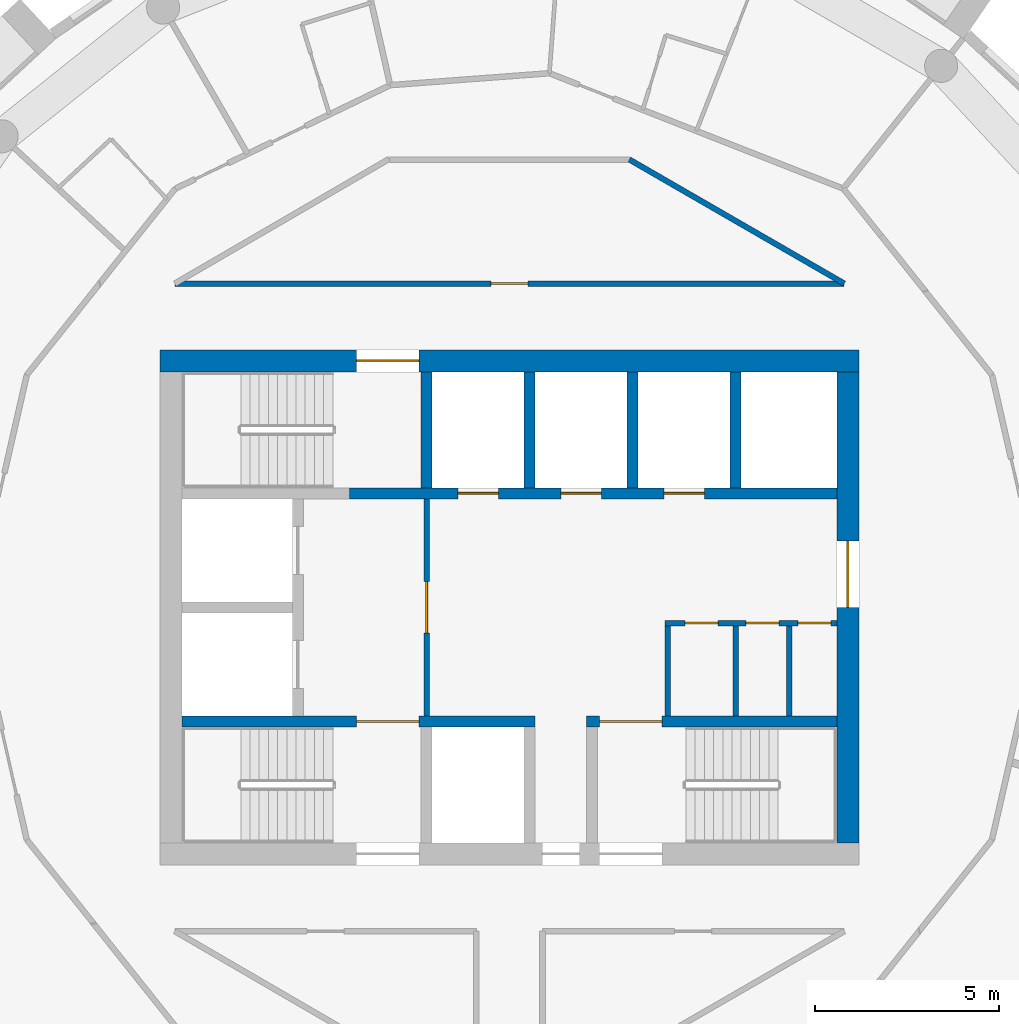
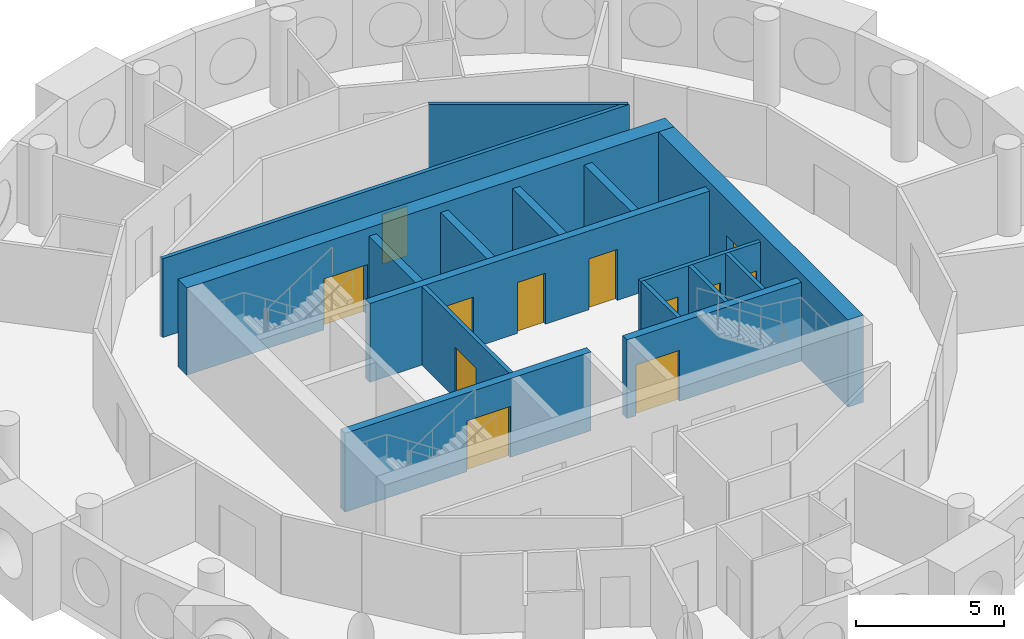
# One storey, part 8 of 13: 16 walls, 12 doors, 12 openings.
"""IFC4 building model written with IfcOpenShell, lengths in metres."""

from ifc_helpers import new_model, si_unit, direction, frame, frame_2d, origin, place, context, subcontext, project, spatial, rectangle, extrude, material, layer, layer_set, type_object, element, fill, save


model = new_model("IFC4")

# Units and contexts
model_context = context("Model", 3, precision=1e-05, world=origin(), true_north=direction((0.0, 1.0)))
body_context = subcontext(model_context, "Body", "Model", "MODEL_VIEW")
ifc_project = project(units=[si_unit("LENGTHUNIT", "METRE"), si_unit("AREAUNIT", "SQUARE_METRE"), si_unit("VOLUMEUNIT", "CUBIC_METRE"), si_unit("PLANEANGLEUNIT", "RADIAN"), si_unit("MASSUNIT", "GRAM", prefix="KILO")], contexts=[model_context])

# Site, building, storey
site_placement = place(None, origin())
site = spatial("IfcSite", under=ifc_project, at=site_placement, CompositionType="ELEMENT")
building_placement = place(site_placement, origin())
building = spatial("IfcBuilding", under=site, at=building_placement, Name="Tracery Tower", CompositionType="ELEMENT")
storey_placement = place(building_placement, frame((0.0, 0.0, 319.800048828125)))
storey = spatial("IfcBuildingStorey", under=building, at=storey_placement, Name="L83", CompositionType="ELEMENT", Elevation=319.800048828125)

# Wall, opening, door
ifc_material_1 = material(Name="Plasterboard on steel studs", Category="steel")
ifc_layer_1 = layer(ifc_material_1, 0.14990234375)
ifc_layer_set_1 = layer_set([ifc_layer_1], Name="Core lobby partition 150")
wall_type_1 = type_object("IfcWallType", Name="Core lobby partition 150", PredefinedType="SOLIDWALL", material=ifc_layer_set_1)
wall_1_placement = place(storey_placement, frame((-2.25, -2.949951171875, 0.0), z_axis=(0.0, 0.0, 1.0), x_axis=(0.0, 1.0, 0.0)))
wall_1 = element("IfcWall", 1, at=wall_1_placement, inside=storey, type_object=wall_type_1, Name="L83 FF lobby E", PredefinedType="SOLIDWALL", context=body_context, shape_type="SweptSolid", body=[
    extrude(rectangle(XDim=5.89990234375, YDim=0.14990234375, at=frame_2d((2.949951171875, 0.0))), origin(), (0.0, 0.0, 1.0), 3.25),
])
opening_1_placement = place(wall_1_placement, frame((2.25, 0.0, 0.0)))
opening_1 = element("IfcOpeningElement", 2, at=opening_1_placement, cuts=wall_1, Name="Opening KD8", PredefinedType="OPENING", context=body_context, shape_type="SweptSolid", body=[
    extrude(rectangle(XDim=1.39990234375, YDim=2.10009765625, at=frame_2d((0.699951171875, 1.050048828125))), frame((0.0, 0.074951171875, 0.0), z_axis=(0.0, -1.0, 0.0), x_axis=(1.0, 0.0, 0.0)), (0.0, 0.0, 1.0), 0.14990234375),
])
ifc_material_2 = material(Name="Steel fire door", Category="steel")
door_type_1 = type_object("IfcDoorType", Name="Core lobby door 1400 double", OperationType="NOTDEFINED", PredefinedType="DOOR", material=ifc_material_2)
door_1_placement = place(opening_1_placement, origin())
door_1 = element("IfcDoor", 3, at=door_1_placement, inside=storey, type_object=door_type_1, Name="Fire-fighting lobby door", OperationType="DOUBLE_DOOR_SINGLE_SWING", OverallHeight=2.10009765625, OverallWidth=1.39990234375, PredefinedType="DOOR", context=body_context, shape_type="SweptSolid", body=[
    extrude(rectangle(XDim=1.39990234375, YDim=2.10009765625, at=frame_2d((0.699951171875, 1.050048828125))), frame((0.0, 0.02490234375, 0.0), z_axis=(0.0, -1.0, 0.0), x_axis=(1.0, 0.0, 0.0)), (0.0, 0.0, 1.0), 0.050048828125),
])
fill(opening_1, door_1)

# Wall
ifc_material_3 = material(Name="Plasterboard on steel studs", Category="steel")
ifc_layer_2 = layer(ifc_material_3, 0.14990234375)
ifc_layer_set_2 = layer_set([ifc_layer_2], Name="Core room partition 150")
wall_type_2 = type_object("IfcWallType", Name="Core room partition 150", PredefinedType="SOLIDWALL", material=ifc_layer_set_2)
wall_2_placement = place(storey_placement, frame((4.300048828125, -2.949951171875, 0.0), z_axis=(0.0, 0.0, 1.0), x_axis=(0.0, 1.0, 0.0)))
element("IfcWall", 4, at=wall_2_placement, inside=storey, type_object=wall_type_2, Name="L83 slot W", PredefinedType="SOLIDWALL", context=body_context, shape_type="SweptSolid", body=[
    extrude(rectangle(XDim=2.449951171875, YDim=0.14990234375, at=frame_2d((1.22509765625, 0.0))), origin(), (0.0, 0.0, 1.0), 3.25),
])

# Wall, openings, doors
wall_3_placement = place(storey_placement, frame((4.22509765625, -0.425048828125, 0.0), z_axis=(0.0, 0.0, 1.0), x_axis=(1.0, 0.0, 0.0)))
wall_3 = element("IfcWall", 5, at=wall_3_placement, inside=storey, type_object=wall_type_2, Name="L83 slot N", PredefinedType="SOLIDWALL", context=body_context, shape_type="SweptSolid", body=[
    extrude(rectangle(XDim=4.6748046875, YDim=0.14990234375, at=frame_2d((2.33740234375, 0.0))), origin(), (0.0, 0.0, 1.0), 3.25),
])
opening_2_placement = place(wall_3_placement, frame((0.550048828125, 0.0, 0.0)))
opening_2 = element("IfcOpeningElement", 6, at=opening_2_placement, cuts=wall_3, Name="Opening KD22", PredefinedType="OPENING", context=body_context, shape_type="SweptSolid", body=[
    extrude(rectangle(XDim=0.89990234375, YDim=2.10009765625, at=frame_2d((0.449951171875, 1.050048828125))), frame((0.0, 0.074951171875, 0.0), z_axis=(0.0, -1.0, 0.0), x_axis=(1.0, 0.0, 0.0)), (0.0, 0.0, 1.0), 0.14990234375),
])
opening_3_placement = place(wall_3_placement, frame((2.199951171875, 0.0, 0.0)))
opening_3 = element("IfcOpeningElement", 7, at=opening_3_placement, cuts=wall_3, Name="Opening KD26", PredefinedType="OPENING", context=body_context, shape_type="SweptSolid", body=[
    extrude(rectangle(XDim=0.89990234375, YDim=2.10009765625, at=frame_2d((0.449951171875, 1.050048828125))), frame((0.0, 0.074951171875, 0.0), z_axis=(0.0, -1.0, 0.0), x_axis=(1.0, 0.0, 0.0)), (0.0, 0.0, 1.0), 0.14990234375),
])
opening_4_placement = place(wall_3_placement, frame((3.612548828125, 0.0, 0.0)))
opening_4 = element("IfcOpeningElement", 8, at=opening_4_placement, cuts=wall_3, Name="Opening KD32", PredefinedType="OPENING", context=body_context, shape_type="SweptSolid", body=[
    extrude(rectangle(XDim=0.89990234375, YDim=2.10009765625, at=frame_2d((0.449951171875, 1.050048828125))), frame((0.0, 0.074951171875, 0.0), z_axis=(0.0, -1.0, 0.0), x_axis=(1.0, 0.0, 0.0)), (0.0, 0.0, 1.0), 0.14990234375),
])
ifc_material_4 = material(Name="Timber door leaf", Category="wood")
door_type_2 = type_object("IfcDoorType", Name="Core WC door 900", OperationType="NOTDEFINED", PredefinedType="DOOR", material=ifc_material_4)
door_2_placement = place(opening_2_placement, origin())
door_2 = element("IfcDoor", 9, at=door_2_placement, inside=storey, type_object=door_type_2, Name="Core door", OperationType="SINGLE_SWING_RIGHT", OverallHeight=2.10009765625, OverallWidth=0.89990234375, PredefinedType="DOOR", context=body_context, shape_type="SweptSolid", body=[
    extrude(rectangle(XDim=0.89990234375, YDim=2.10009765625, at=frame_2d((0.449951171875, 1.050048828125))), frame((0.0, 0.02490234375, 0.0), z_axis=(0.0, -1.0, 0.0), x_axis=(1.0, 0.0, 0.0)), (0.0, 0.0, 1.0), 0.050048828125),
])
fill(opening_2, door_2)
ifc_material_5 = material(Name="Steel fire door", Category="steel")
door_type_3 = type_object("IfcDoorType", Name="Core riser door 900", OperationType="NOTDEFINED", PredefinedType="DOOR", material=ifc_material_5)
door_3_placement = place(opening_4_placement, origin())
door_3 = element("IfcDoor", 10, at=door_3_placement, inside=storey, type_object=door_type_3, Name="Core door", OperationType="SINGLE_SWING_RIGHT", OverallHeight=2.10009765625, OverallWidth=0.89990234375, PredefinedType="DOOR", context=body_context, shape_type="SweptSolid", body=[
    extrude(rectangle(XDim=0.89990234375, YDim=2.10009765625, at=frame_2d((0.449951171875, 1.050048828125))), frame((0.0, 0.02490234375, 0.0), z_axis=(0.0, -1.0, 0.0), x_axis=(1.0, 0.0, 0.0)), (0.0, 0.0, 1.0), 0.050048828125),
])
fill(opening_4, door_3)
ifc_material_6 = material(Name="Timber door leaf", Category="wood")
door_type_4 = type_object("IfcDoorType", Name="Core store door 900", OperationType="NOTDEFINED", PredefinedType="DOOR", material=ifc_material_6)
door_4_placement = place(opening_3_placement, origin())
door_4 = element("IfcDoor", 11, at=door_4_placement, inside=storey, type_object=door_type_4, Name="Core door", OperationType="SINGLE_SWING_LEFT", OverallHeight=2.10009765625, OverallWidth=0.89990234375, PredefinedType="DOOR", context=body_context, shape_type="SweptSolid", body=[
    extrude(rectangle(XDim=0.89990234375, YDim=2.10009765625, at=frame_2d((0.449951171875, 1.050048828125))), frame((0.0, 0.02490234375, 0.0), z_axis=(0.0, -1.0, 0.0), x_axis=(1.0, 0.0, 0.0)), (0.0, 0.0, 1.0), 0.050048828125),
])
fill(opening_3, door_4)

# Walls
for number, where, z_axis, x_axis, name in (
    (12, (6.14990234375, -2.949951171875, 0.0), (0.0, 0.0, 1.0), (0.0, 1.0, 0.0), "L83 slot sep 1"),
    (13, (7.60009765625, -2.949951171875, 0.0), (0.0, 0.0, 1.0), (0.0, 1.0, 0.0), "L83 slot sep 2"),
):
    element("IfcWall", number, at=place(storey_placement, frame(where, z_axis=z_axis, x_axis=x_axis)), inside=storey, type_object=wall_type_2, Name=name, PredefinedType="SOLIDWALL", context=body_context, shape_type="SweptSolid", body=[
        extrude(rectangle(XDim=2.449951171875, YDim=0.14990234375, at=frame_2d((1.22509765625, 0.0))), origin(), (0.0, 0.0, 1.0), 3.25),
    ])

# Wall, opening, door
ifc_material_7 = material(Name="Concrete C40/50", Category="concrete")
ifc_layer_3 = layer(ifc_material_7, 0.60009765625)
ifc_layer_set_3 = layer_set([ifc_layer_3], Name="Core wall 600 C40")
wall_type_3 = type_object("IfcWallType", Name="Core wall 600 C40", PredefinedType="SOLIDWALL", material=ifc_layer_set_3)
wall_4_placement = place(storey_placement, frame((-9.5, 6.699951171875, 0.0), z_axis=(0.0, 0.0, 1.0), x_axis=(1.0, 0.0, 0.0)))
wall_4 = element("IfcWall", 14, at=wall_4_placement, inside=storey, type_object=wall_type_3, Name="L83 outer N", PredefinedType="SOLIDWALL", context=body_context, shape_type="SweptSolid", body=[
    extrude(rectangle(XDim=19.0, YDim=0.60009765625, at=frame_2d((9.5, 0.0))), origin(), (0.0, 0.0, 1.0), 3.599853515625),
])
opening_5_placement = place(wall_4_placement, frame((5.35009765625, 0.0, 0.0)))
opening_5 = element("IfcOpeningElement", 15, at=opening_5_placement, cuts=wall_4, Name="Opening KD3", PredefinedType="OPENING", context=body_context, shape_type="SweptSolid", body=[
    extrude(rectangle(XDim=1.699951171875, YDim=2.10009765625, at=frame_2d((0.85009765625, 1.050048828125))), frame((0.0, 0.300048828125, 0.0), z_axis=(0.0, -1.0, 0.0), x_axis=(1.0, 0.0, 0.0)), (0.0, 0.0, 1.0), 0.60009765625),
])
ifc_material_8 = material(Name="Steel fire door", Category="steel")
door_type_5 = type_object("IfcDoorType", Name="Core stair door 1700 double", OperationType="NOTDEFINED", PredefinedType="DOOR", material=ifc_material_8)
door_5_placement = place(opening_5_placement, origin())
door_5 = element("IfcDoor", 16, at=door_5_placement, inside=storey, type_object=door_type_5, Name="Stair door ST3 exit", OperationType="DOUBLE_DOOR_SINGLE_SWING", OverallHeight=2.10009765625, OverallWidth=1.699951171875, PredefinedType="DOOR", context=body_context, shape_type="SweptSolid", body=[
    extrude(rectangle(XDim=1.699951171875, YDim=2.10009765625, at=frame_2d((0.85009765625, 1.050048828125))), frame((0.0, 0.02490234375, 0.0), z_axis=(0.0, -1.0, 0.0), x_axis=(1.0, 0.0, 0.0)), (0.0, 0.0, 1.0), 0.050048828125),
])
fill(opening_5, door_5)

wall_5_placement = place(storey_placement, frame((9.199951171875, -6.39990234375, 0.0), z_axis=(0.0, 0.0, 1.0), x_axis=(0.0, 1.0, 0.0)))
wall_5 = element("IfcWall", 17, at=wall_5_placement, inside=storey, type_object=wall_type_3, Name="L83 outer E", PredefinedType="SOLIDWALL", context=body_context, shape_type="SweptSolid", body=[
    extrude(rectangle(XDim=12.7998046875, YDim=0.60009765625, at=frame_2d((6.39990234375, 0.0))), origin(), (0.0, 0.0, 1.0), 3.599853515625),
])
opening_6_placement = place(wall_5_placement, frame((6.39990234375, 0.0, 0.0)))
opening_6 = element("IfcOpeningElement", 18, at=opening_6_placement, cuts=wall_5, Name="Opening KD13", PredefinedType="OPENING", context=body_context, shape_type="SweptSolid", body=[
    extrude(rectangle(XDim=1.800048828125, YDim=2.10009765625, at=frame_2d((0.89990234375, 1.050048828125))), frame((0.0, 0.300048828125, 0.0), z_axis=(0.0, -1.0, 0.0), x_axis=(1.0, 0.0, 0.0)), (0.0, 0.0, 1.0), 0.60009765625),
])
ifc_material_9 = material(Name="Steel fire door", Category="steel")
door_type_6 = type_object("IfcDoorType", Name="Core exit door 1800 double", OperationType="NOTDEFINED", PredefinedType="DOOR", material=ifc_material_9)
door_6_placement = place(opening_6_placement, origin())
door_6 = element("IfcDoor", 19, at=door_6_placement, inside=storey, type_object=door_type_6, Name="Core exit door", OperationType="DOUBLE_DOOR_SINGLE_SWING", OverallHeight=2.10009765625, OverallWidth=1.800048828125, PredefinedType="DOOR", context=body_context, shape_type="SweptSolid", body=[
    extrude(rectangle(XDim=1.800048828125, YDim=2.10009765625, at=frame_2d((0.89990234375, 1.050048828125))), frame((0.0, 0.02490234375, 0.0), z_axis=(0.0, -1.0, 0.0), x_axis=(1.0, 0.0, 0.0)), (0.0, 0.0, 1.0), 0.050048828125),
])
fill(opening_6, door_6)

ifc_material_10 = material(Name="Plasterboard on steel studs", Category="steel")
ifc_layer_4 = layer(ifc_material_10, 0.14990234375)
ifc_layer_set_4 = layer_set([ifc_layer_4], Name="Partition 150 corridor wall")
wall_type_4 = type_object("IfcWallType", Name="Partition 150 corridor wall", PredefinedType="PARTITIONING", material=ifc_layer_set_4)
wall_6_placement = place(storey_placement, frame((-9.092041015625, 8.800048828125, 0.0), z_axis=(0.0, 0.0, 1.0), x_axis=(1.0, 0.0, 0.0)))
wall_6 = element("IfcWall", 20, at=wall_6_placement, inside=storey, type_object=wall_type_4, Name="Corridor wall RC9-002", PredefinedType="PARTITIONING", context=body_context, shape_type="SweptSolid", body=[
    extrude(rectangle(XDim=18.192626953125, YDim=0.14990234375, at=frame_2d((9.09619140625, 0.0))), origin(), (0.0, 0.0, 1.0), 3.25),
])
opening_7_placement = place(wall_6_placement, frame((8.592041015625, 0.0, 0.0)))
opening_7 = element("IfcOpeningElement", 21, at=opening_7_placement, cuts=wall_6, Name="Opening RC9-01", PredefinedType="OPENING", context=body_context, shape_type="SweptSolid", body=[
    extrude(rectangle(XDim=1.0, YDim=2.0400390625, at=frame_2d((0.5, 1.02001953125))), frame((0.0, 0.074951171875, 0.0), z_axis=(0.0, -1.0, 0.0), x_axis=(1.0, 0.0, 0.0)), (0.0, 0.0, 1.0), 0.14990234375),
])
ifc_material_11 = material(Name="Timber door leaf", Category="wood")
door_type_7 = type_object("IfcDoorType", Name="Door communal room 1000", OperationType="NOTDEFINED", PredefinedType="DOOR", material=ifc_material_11)
door_7_placement = place(opening_7_placement, origin())
door_7 = element("IfcDoor", 22, at=door_7_placement, inside=storey, type_object=door_type_7, Name="Communal room door RC9-01", OperationType="SINGLE_SWING_RIGHT", OverallHeight=2.0400390625, OverallWidth=1.0, PredefinedType="DOOR", context=body_context, shape_type="SweptSolid", body=[
    extrude(rectangle(XDim=1.0, YDim=2.0400390625, at=frame_2d((0.5, 1.02001953125))), frame((0.0, 0.02490234375, 0.0), z_axis=(0.0, -1.0, 0.0), x_axis=(1.0, 0.0, 0.0)), (0.0, 0.0, 1.0), 0.050048828125),
])
fill(opening_7, door_7)

# Walls
wall_7_placement = place(storey_placement, frame((3.260986328125, 12.1708984375, 0.0), z_axis=(0.0, 0.0, 1.0), x_axis=(0.866066809554, -0.499928276245, 0.0)))
element("IfcWall", 23, at=wall_7_placement, inside=storey, type_object=wall_type_4, Name="Corridor wall RC9-024", PredefinedType="PARTITIONING", context=body_context, shape_type="SweptSolid", body=[
    extrude(rectangle(XDim=6.74267578125, YDim=0.14990234375, at=frame_2d((3.371337890625, 0.0))), origin(), (0.0, 0.0, 1.0), 3.25),
])
ifc_material_12 = material(Name="Concrete C40/50", Category="concrete")
ifc_layer_5 = layer(ifc_material_12, 0.300048828125)
ifc_layer_set_5 = layer_set([ifc_layer_5], Name="Shaft wall 300 C40")
wall_type_5 = type_object("IfcWallType", Name="Shaft wall 300 C40", PredefinedType="SOLIDWALL", material=ifc_layer_set_5)
for number, where, z_axis, x_axis, name in (
    (24, (0.550048828125, 3.25, 0.0), (0.0, 0.0, 1.0), (0.0, 1.0, 0.0), "L83 HR sep 1"),
    (25, (3.35009765625, 3.25, 0.0), (0.0, 0.0, 1.0), (0.0, 1.0, 0.0), "L83 HR sep 2"),
    (26, (6.14990234375, 3.25, 0.0), (0.0, 0.0, 1.0), (0.0, 1.0, 0.0), "L83 HR sep 3"),
):
    element("IfcWall", number, at=place(storey_placement, frame(where, z_axis=z_axis, x_axis=x_axis)), inside=storey, type_object=wall_type_5, Name=name, PredefinedType="SOLIDWALL", context=body_context, shape_type="SweptSolid", body=[
        extrude(rectangle(XDim=3.14990234375, YDim=0.300048828125, at=frame_2d((1.574951171875, 0.0))), origin(), (0.0, 0.0, 1.0), 3.25),
    ])

# Wall, opening, door
ifc_material_13 = material(Name="Concrete C40/50", Category="concrete")
ifc_layer_6 = layer(ifc_material_13, 0.300048828125)
ifc_layer_set_6 = layer_set([ifc_layer_6], Name="Stair wall 300 C40")
wall_type_6 = type_object("IfcWallType", Name="Stair wall 300 C40", PredefinedType="SOLIDWALL", material=ifc_layer_set_6)
wall_8_placement = place(storey_placement, frame((-8.89990234375, -3.10009765625, 0.0), z_axis=(0.0, 0.0, 1.0), x_axis=(1.0, 0.0, 0.0)))
wall_8 = element("IfcWall", 27, at=wall_8_placement, inside=storey, type_object=wall_type_6, Name="L83 row S", PredefinedType="SOLIDWALL", context=body_context, shape_type="SweptSolid", body=[
    extrude(rectangle(XDim=9.599853515625, YDim=0.300048828125, at=frame_2d((4.7998046875, 0.0))), origin(), (0.0, 0.0, 1.0), 3.25),
])
opening_8_placement = place(wall_8_placement, frame((4.75, 0.0, 0.0)))
opening_8 = element("IfcOpeningElement", 28, at=opening_8_placement, cuts=wall_8, Name="Opening KD3", PredefinedType="OPENING", context=body_context, shape_type="SweptSolid", body=[
    extrude(rectangle(XDim=1.699951171875, YDim=2.10009765625, at=frame_2d((0.85009765625, 1.050048828125))), frame((0.0, 0.14990234375, 0.0), z_axis=(0.0, -1.0, 0.0), x_axis=(1.0, 0.0, 0.0)), (0.0, 0.0, 1.0), 0.300048828125),
])
door_8_placement = place(opening_8_placement, origin())
door_8 = element("IfcDoor", 29, at=door_8_placement, inside=storey, type_object=door_type_5, Name="Stair door ST1", OperationType="DOUBLE_DOOR_SINGLE_SWING", OverallHeight=2.10009765625, OverallWidth=1.699951171875, PredefinedType="DOOR", context=body_context, shape_type="SweptSolid", body=[
    extrude(rectangle(XDim=1.699951171875, YDim=2.10009765625, at=frame_2d((0.85009765625, 1.050048828125))), frame((0.0, 0.02490234375, 0.0), z_axis=(0.0, -1.0, 0.0), x_axis=(1.0, 0.0, 0.0)), (0.0, 0.0, 1.0), 0.050048828125),
])
fill(opening_8, door_8)

wall_9_placement = place(storey_placement, frame((2.10009765625, -3.10009765625, 0.0), z_axis=(0.0, 0.0, 1.0), x_axis=(1.0, 0.0, 0.0)))
wall_9 = element("IfcWall", 30, at=wall_9_placement, inside=storey, type_object=wall_type_6, Name="L83 row S E", PredefinedType="SOLIDWALL", context=body_context, shape_type="SweptSolid", body=[
    extrude(rectangle(XDim=6.7998046875, YDim=0.300048828125, at=frame_2d((3.39990234375, 0.0))), origin(), (0.0, 0.0, 1.0), 3.25),
])
opening_9_placement = place(wall_9_placement, frame((0.35009765625, 0.0, 0.0)))
opening_9 = element("IfcOpeningElement", 31, at=opening_9_placement, cuts=wall_9, Name="Opening KD3", PredefinedType="OPENING", context=body_context, shape_type="SweptSolid", body=[
    extrude(rectangle(XDim=1.699951171875, YDim=2.10009765625, at=frame_2d((0.85009765625, 1.050048828125))), frame((0.0, 0.14990234375, 0.0), z_axis=(0.0, -1.0, 0.0), x_axis=(1.0, 0.0, 0.0)), (0.0, 0.0, 1.0), 0.300048828125),
])
door_9_placement = place(opening_9_placement, origin())
door_9 = element("IfcDoor", 32, at=door_9_placement, inside=storey, type_object=door_type_5, Name="Stair door ST2", OperationType="DOUBLE_DOOR_SINGLE_SWING", OverallHeight=2.10009765625, OverallWidth=1.699951171875, PredefinedType="DOOR", context=body_context, shape_type="SweptSolid", body=[
    extrude(rectangle(XDim=1.699951171875, YDim=2.10009765625, at=frame_2d((0.85009765625, 1.050048828125))), frame((0.0, 0.02490234375, 0.0), z_axis=(0.0, -1.0, 0.0), x_axis=(1.0, 0.0, 0.0)), (0.0, 0.0, 1.0), 0.050048828125),
])
fill(opening_9, door_9)

# Wall, openings, doors
wall_10_placement = place(storey_placement, frame((-4.35009765625, 3.10009765625, 0.0), z_axis=(0.0, 0.0, 1.0), x_axis=(1.0, 0.0, 0.0)))
wall_10 = element("IfcWall", 33, at=wall_10_placement, inside=storey, type_object=wall_type_6, Name="L83 row N", PredefinedType="SOLIDWALL", context=body_context, shape_type="SweptSolid", body=[
    extrude(rectangle(XDim=13.25, YDim=0.300048828125, at=frame_2d((6.625, 0.0))), origin(), (0.0, 0.0, 1.0), 3.25),
])
opening_10_placement = place(wall_10_placement, frame((2.949951171875, 0.0, 0.0)))
opening_10 = element("IfcOpeningElement", 34, at=opening_10_placement, cuts=wall_10, Name="Opening KD49", PredefinedType="OPENING", context=body_context, shape_type="SweptSolid", body=[
    extrude(rectangle(XDim=1.10009765625, YDim=2.10009765625, at=frame_2d((0.550048828125, 1.050048828125))), frame((0.0, 0.14990234375, 0.0), z_axis=(0.0, -1.0, 0.0), x_axis=(1.0, 0.0, 0.0)), (0.0, 0.0, 1.0), 0.300048828125),
])
opening_11_placement = place(wall_10_placement, frame((5.75, 0.0, 0.0)))
opening_11 = element("IfcOpeningElement", 35, at=opening_11_placement, cuts=wall_10, Name="Opening KD50", PredefinedType="OPENING", context=body_context, shape_type="SweptSolid", body=[
    extrude(rectangle(XDim=1.10009765625, YDim=2.10009765625, at=frame_2d((0.550048828125, 1.050048828125))), frame((0.0, 0.14990234375, 0.0), z_axis=(0.0, -1.0, 0.0), x_axis=(1.0, 0.0, 0.0)), (0.0, 0.0, 1.0), 0.300048828125),
])
opening_12_placement = place(wall_10_placement, frame((8.550048828125, 0.0, 0.0)))
opening_12 = element("IfcOpeningElement", 36, at=opening_12_placement, cuts=wall_10, Name="Opening KD49", PredefinedType="OPENING", context=body_context, shape_type="SweptSolid", body=[
    extrude(rectangle(XDim=1.10009765625, YDim=2.10009765625, at=frame_2d((0.550048828125, 1.050048828125))), frame((0.0, 0.14990234375, 0.0), z_axis=(0.0, -1.0, 0.0), x_axis=(1.0, 0.0, 0.0)), (0.0, 0.0, 1.0), 0.300048828125),
])
ifc_material_14 = material(Name="Steel fire door", Category="steel")
door_type_8 = type_object("IfcDoorType", Name="Landing door 1100", OperationType="NOTDEFINED", PredefinedType="DOOR", material=ifc_material_14)
door_10_placement = place(opening_10_placement, origin())
door_10 = element("IfcDoor", 37, at=door_10_placement, inside=storey, type_object=door_type_8, Name="Landing door HR1", OperationType="SLIDING_TO_LEFT", OverallHeight=2.10009765625, OverallWidth=1.10009765625, PredefinedType="DOOR", context=body_context, shape_type="SweptSolid", body=[
    extrude(rectangle(XDim=1.10009765625, YDim=2.10009765625, at=frame_2d((0.550048828125, 1.050048828125))), frame((0.0, 0.02490234375, 0.0), z_axis=(0.0, -1.0, 0.0), x_axis=(1.0, 0.0, 0.0)), (0.0, 0.0, 1.0), 0.050048828125),
])
fill(opening_10, door_10)
door_11_placement = place(opening_11_placement, origin())
door_11 = element("IfcDoor", 38, at=door_11_placement, inside=storey, type_object=door_type_8, Name="Landing door HR2", OperationType="SLIDING_TO_RIGHT", OverallHeight=2.10009765625, OverallWidth=1.10009765625, PredefinedType="DOOR", context=body_context, shape_type="SweptSolid", body=[
    extrude(rectangle(XDim=1.10009765625, YDim=2.10009765625, at=frame_2d((0.550048828125, 1.050048828125))), frame((0.0, 0.02490234375, 0.0), z_axis=(0.0, -1.0, 0.0), x_axis=(1.0, 0.0, 0.0)), (0.0, 0.0, 1.0), 0.050048828125),
])
fill(opening_11, door_11)
door_12_placement = place(opening_12_placement, origin())
door_12 = element("IfcDoor", 39, at=door_12_placement, inside=storey, type_object=door_type_8, Name="Landing door HR3", OperationType="SLIDING_TO_LEFT", OverallHeight=2.10009765625, OverallWidth=1.10009765625, PredefinedType="DOOR", context=body_context, shape_type="SweptSolid", body=[
    extrude(rectangle(XDim=1.10009765625, YDim=2.10009765625, at=frame_2d((0.550048828125, 1.050048828125))), frame((0.0, 0.02490234375, 0.0), z_axis=(0.0, -1.0, 0.0), x_axis=(1.0, 0.0, 0.0)), (0.0, 0.0, 1.0), 0.050048828125),
])
fill(opening_12, door_12)

# Wall
wall_11_placement = place(storey_placement, frame((-2.25, 3.25, 0.0), z_axis=(0.0, 0.0, 1.0), x_axis=(0.0, 1.0, 0.0)))
element("IfcWall", 40, at=wall_11_placement, inside=storey, type_object=wall_type_6, Name="L83 ST3 E", PredefinedType="SOLIDWALL", context=body_context, shape_type="SweptSolid", body=[
    extrude(rectangle(XDim=3.14990234375, YDim=0.300048828125, at=frame_2d((1.574951171875, 0.0))), origin(), (0.0, 0.0, 1.0), 3.25),
])

save(model, "model.ifc")
